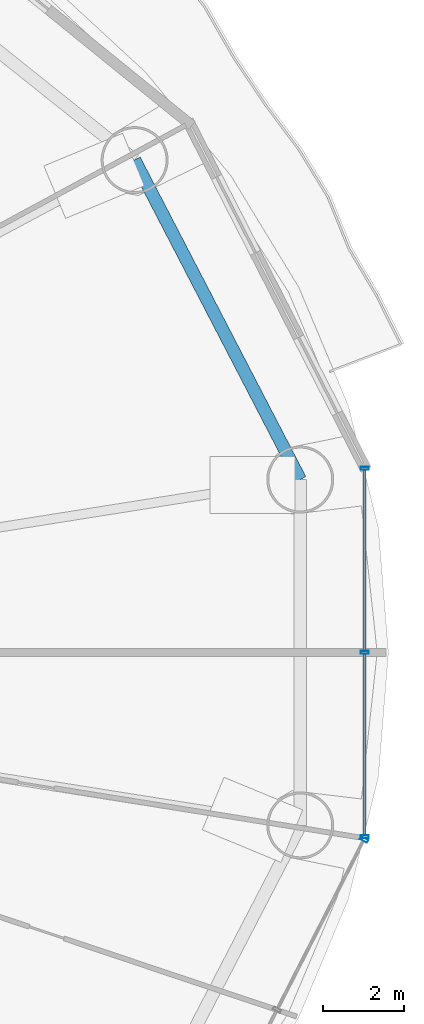
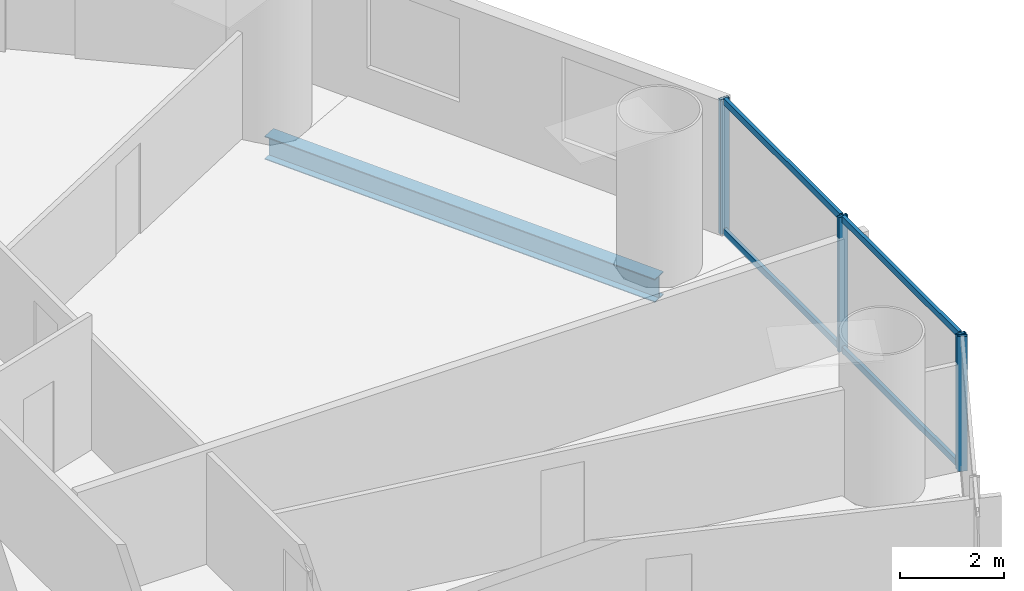
# One storey, part 14 of 29: 8 members, 1 beam, 2 elements without a shape of their own.
"""IFC4 building model written with IfcOpenShell, lengths in metres."""

from ifc_helpers import new_model, si_unit, direction, frame, origin, origin_2d, place, context, subcontext, project, spatial, hollow_rectangle, i_section, extrude, source, transform, mapped, material, material_profile, profile_set, type_object, element, aggregate, save


model = new_model("IFC4")

# Units and contexts
model_context = context("Model", 3, precision=1e-05, world=origin(), true_north=direction((-0.2419218956, 0.970295726276)))
body_context = subcontext(model_context, "Body", "Model", "MODEL_VIEW")
ifc_project = project(units=[si_unit("LENGTHUNIT", "METRE"), si_unit("AREAUNIT", "SQUARE_METRE"), si_unit("VOLUMEUNIT", "CUBIC_METRE"), si_unit("PLANEANGLEUNIT", "RADIAN"), si_unit("MASSUNIT", "GRAM", prefix="KILO")], contexts=[model_context])

# Site, building, storey
site_placement = place(None, origin())
site = spatial("IfcSite", under=ifc_project, at=site_placement, CompositionType="ELEMENT")
building_placement = place(site_placement, origin())
building = spatial("IfcBuilding", under=site, at=building_placement, Name="Cobrevalo Terracotta Tower", CompositionType="ELEMENT")
storey_placement = place(building_placement, frame((0.0, 0.0, 70.800048828125)))
storey = spatial("IfcBuildingStorey", under=building, at=storey_placement, Name="L18", CompositionType="ELEMENT", Elevation=70.800048828125)

# Beam
ifc_material_1 = material(Name="Steel S355", Category="steel")
ifc_material_profile_1 = material_profile(ifc_material_1, i_section(OverallWidth=0.31201171875, OverallDepth=0.54296875, WebThickness=0.0126953125, FlangeThickness=0.020263671875, at=origin_2d()), Name="W 530x150")
ifc_profile_set_1 = profile_set([ifc_material_profile_1], Name="Steel S355")
beam_type = type_object("IfcBeamType", Name="Structural Spandrel W 530x150 (Steel S355)", PredefinedType="SPANDREL", material=ifc_profile_set_1)
beam_placement = place(storey_placement, frame((64.824462890625, 31.062744140625, -0.551513671875), z_axis=(-0.460285838799, 0.88777077368, 0.0), x_axis=(-0.88777077368, -0.460285838799, 0.0)))
element("IfcBeam", 1, at=beam_placement, inside=storey, type_object=beam_type, Name="L18 perimeter ring spandrel 01", PredefinedType="SPANDREL", context=body_context, shape_type="SweptSolid", body=[
    extrude(i_section(OverallWidth=0.31201171875, OverallDepth=0.54296875, WebThickness=0.0126953125, FlangeThickness=0.020263671875, at=origin_2d()), origin(), (0.0, 0.0, 1.0), 8.8720703125),
])

# Curtain wall, members
ifc_material_2 = material(Name="Anodized aluminium", Category="aluminium")
curtain_wall_type = type_object("IfcCurtainWallType", Name="Lower-tower unitised acoustic low-E curtain wall CW-U1", PredefinedType="NOTDEFINED", material=ifc_material_2)
curtain_wall_1_placement = place(storey_placement, origin())
curtain_wall_1 = element("IfcCurtainWall", 2, at=curtain_wall_1_placement, inside=storey, type_object=curtain_wall_type, Name="L18 curtain wall CW-L18-S16", PredefinedType="NOTDEFINED")
ifc_material_profile_2 = material_profile(ifc_material_2, hollow_rectangle(XDim=0.074951171875, YDim=0.14990234375, WallThickness=0.00439453125, at=origin_2d()), Name="CWT 75x150")
ifc_profile_set_2 = profile_set([ifc_material_profile_2], Name="Anodized aluminium")
member_type_1 = type_object("IfcMemberType", Name="Tower unitised aluminium transom 75x150", PredefinedType="USERDEFINED", material=ifc_profile_set_2)
shared_shape_1 = source(origin(), body_context, "Body", "SweptSolid", [
    extrude(hollow_rectangle(XDim=0.074951171875, YDim=0.14990234375, WallThickness=0.00439453125, at=origin_2d()), origin(), (0.0, 0.0, 1.0), 4.458740234375),
])
member_1_placement = place(storey_placement, frame((66.413330078125, 22.30126953125, 0.050048828125), z_axis=(0.0, 1.0, 0.0), x_axis=(-1.0, 0.0, 0.0)))
member_1 = element("IfcMember", 3, at=member_1_placement, type_object=member_type_1, Name="CW-L18-S16 transom B01-T1", ObjectType="TRANSOM", PredefinedType="USERDEFINED", context=body_context, shape_type="MappedRepresentation", body=[
    mapped(shared_shape_1, transform((0.0, 0.0, 0.0), scale=1.0)),
])
member_2_placement = place(storey_placement, frame((66.413330078125, 22.30126953125, 3.099853515625), z_axis=(0.0, 1.0, 0.0), x_axis=(-1.0, 0.0, 0.0)))
member_2 = element("IfcMember", 4, at=member_2_placement, type_object=member_type_1, Name="CW-L18-S16 transom B01-T2", ObjectType="TRANSOM", PredefinedType="USERDEFINED", context=body_context, shape_type="MappedRepresentation", body=[
    mapped(shared_shape_1, transform((0.0, 0.0, 0.0), scale=1.0)),
])
member_3_placement = place(storey_placement, frame((66.413330078125, 26.840087890625, 0.050048828125), z_axis=(0.0, 1.0, 0.0), x_axis=(-1.0, 0.0, 0.0)))
member_3 = element("IfcMember", 5, at=member_3_placement, type_object=member_type_1, Name="CW-L18-S16 transom B02-T1", ObjectType="TRANSOM", PredefinedType="USERDEFINED", context=body_context, shape_type="MappedRepresentation", body=[
    mapped(shared_shape_1, transform((0.0, 0.0, 0.0), scale=1.0)),
])
member_4_placement = place(storey_placement, frame((66.413330078125, 26.840087890625, 3.099853515625), z_axis=(0.0, 1.0, 0.0), x_axis=(-1.0, 0.0, 0.0)))
member_4 = element("IfcMember", 6, at=member_4_placement, type_object=member_type_1, Name="CW-L18-S16 transom B02-T2", ObjectType="TRANSOM", PredefinedType="USERDEFINED", context=body_context, shape_type="MappedRepresentation", body=[
    mapped(shared_shape_1, transform((0.0, 0.0, 0.0), scale=1.0)),
])

# Curtain wall, member
curtain_wall_2_placement = place(storey_placement, origin())
curtain_wall_2 = element("IfcCurtainWall", 7, at=curtain_wall_2_placement, inside=storey, type_object=curtain_wall_type, Name="L18 curtain wall CW-L18-S15", PredefinedType="NOTDEFINED")
ifc_material_profile_3 = material_profile(ifc_material_2, hollow_rectangle(XDim=0.074951171875, YDim=0.199951171875, WallThickness=0.0048828125, at=origin_2d()), Name="CWM 75x200")
ifc_profile_set_3 = profile_set([ifc_material_profile_3], Name="Anodized aluminium")
member_type_2 = type_object("IfcMemberType", Name="Lower/mid tower unitised mullion 75x200", PredefinedType="MULLION", material=ifc_profile_set_3)
shared_shape_2 = source(origin(), body_context, "Body", "SweptSolid", [
    extrude(hollow_rectangle(XDim=0.074951171875, YDim=0.199951171875, WallThickness=0.0048828125, at=origin_2d()), origin(), (0.0, 0.0, 1.0), 3.14990234375),
])
member_5_placement = place(storey_placement, frame((66.39501953125, 22.185546875, 0.0), z_axis=(0.0, 0.0, 1.0), x_axis=(0.455234136597, 0.890371765543, 0.0)))
member_5 = element("IfcMember", 8, at=member_5_placement, type_object=member_type_2, Name="CW-L18-S15 vertical mullion 03", PredefinedType="MULLION", context=body_context, shape_type="MappedRepresentation", body=[
    mapped(shared_shape_2, transform((0.0, 0.0, 0.0), scale=1.0)),
])
aggregate(curtain_wall_2, [member_5])

# Member
member_6_placement = place(storey_placement, frame((66.413330078125, 22.26123046875, 0.0), z_axis=(0.0, 0.0, 1.0), x_axis=(0.0, 1.0, 0.0)))
member_6 = element("IfcMember", 9, at=member_6_placement, type_object=member_type_2, Name="CW-L18-S16 vertical mullion 01", PredefinedType="MULLION", context=body_context, shape_type="MappedRepresentation", body=[
    mapped(shared_shape_2, transform((0.0, 0.0, 0.0), scale=1.0)),
])

member_7_placement = place(storey_placement, frame((66.413330078125, 26.800048828125, 0.0), z_axis=(0.0, 0.0, 1.0), x_axis=(0.0, 1.0, 0.0)))
member_7 = element("IfcMember", 10, at=member_7_placement, type_object=member_type_2, Name="CW-L18-S16 vertical mullion 02", PredefinedType="MULLION", context=body_context, shape_type="MappedRepresentation", body=[
    mapped(shared_shape_2, transform((0.0, 0.0, 0.0), scale=1.0)),
])

member_8_placement = place(storey_placement, frame((66.413330078125, 31.3388671875, 0.0), z_axis=(0.0, 0.0, 1.0), x_axis=(0.0, 1.0, 0.0)))
member_8 = element("IfcMember", 11, at=member_8_placement, type_object=member_type_2, Name="CW-L18-S16 vertical mullion 03", PredefinedType="MULLION", context=body_context, shape_type="MappedRepresentation", body=[
    mapped(shared_shape_2, transform((0.0, 0.0, 0.0), scale=1.0)),
])

aggregate(curtain_wall_1, [member_6, member_7, member_8, member_1, member_2, member_3, member_4])

save(model, "model.ifc")
